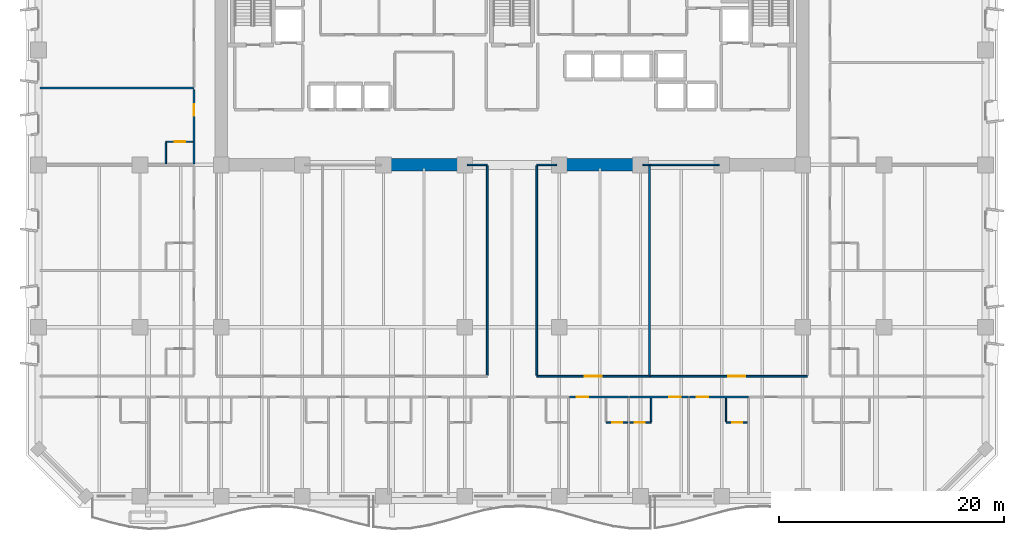
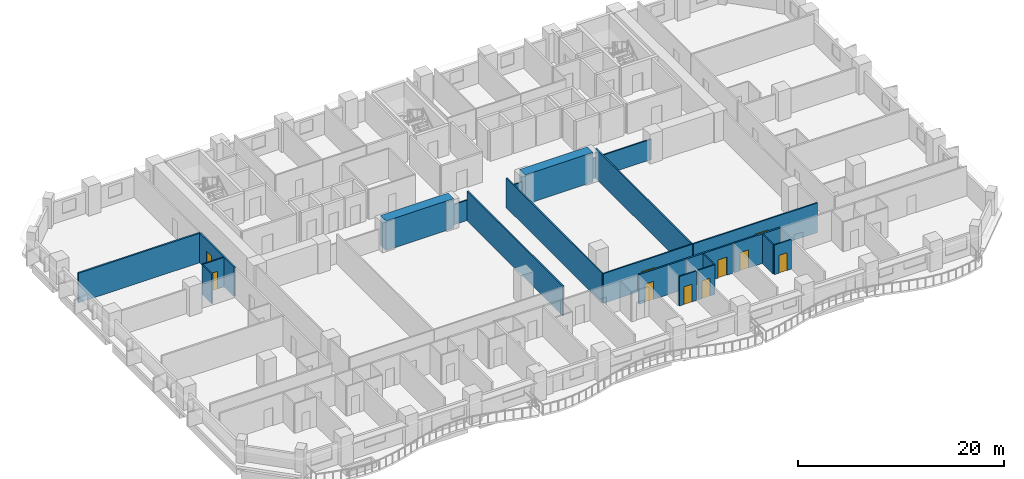
# One storey, part 7 of 16: 23 walls, 10 doors, 10 openings.
"""IFC4 building model written with IfcOpenShell, lengths in metres."""

from ifc_helpers import new_model, si_unit, direction, frame, frame_2d, origin, place, context, subcontext, project, spatial, rectangle, extrude, material, layer, layer_set, type_object, element, fill, save


model = new_model("IFC4")

# Units and contexts
model_context = context("Model", 3, precision=1e-05, world=origin(), true_north=direction((0.0, 1.0)))
body_context = subcontext(model_context, "Body", "Model", "MODEL_VIEW")
ifc_project = project(units=[si_unit("LENGTHUNIT", "METRE"), si_unit("AREAUNIT", "SQUARE_METRE"), si_unit("VOLUMEUNIT", "CUBIC_METRE"), si_unit("PLANEANGLEUNIT", "RADIAN"), si_unit("MASSUNIT", "GRAM", prefix="KILO")], contexts=[model_context])

# Site, building, storey
site_placement = place(None, origin())
site = spatial("IfcSite", under=ifc_project, at=site_placement, CompositionType="ELEMENT")
building_placement = place(site_placement, origin())
building = spatial("IfcBuilding", under=site, at=building_placement, Name="Kaelvorn Grand Hotel", CompositionType="ELEMENT")
storey_placement = place(building_placement, frame((0.0, 0.0, 35.14990234375)))
storey = spatial("IfcBuildingStorey", under=building, at=storey_placement, Name="L06", CompositionType="ELEMENT", Elevation=35.14990234375)

# Walls
ifc_material_1 = material(Name="Concrete C80/95", Category="concrete")
ifc_layer_1 = layer(ifc_material_1, 1.10009765625)
ifc_layer_set_1 = layer_set([ifc_layer_1], Name="Concrete C80/95")
wall_type_1 = type_object("IfcWallType", Name="WL-CORE-1100-C80", PredefinedType="SHEAR", material=ifc_layer_set_1)
for number, where, z_axis, x_axis, name in (
    (1, (30.39990234375, 29.39990234375, 0.0), (0.0, 0.0, 1.0), (1.0, 0.0, 0.0), "L06 Rear-Core Coupled Shear Pier S2"),
    (2, (46.0, 29.39990234375, 0.0), (0.0, 0.0, 1.0), (1.0, 0.0, 0.0), "L06 Rear-Core Coupled Shear Pier S3"),
):
    element("IfcWall", number, at=place(storey_placement, frame(where, z_axis=z_axis, x_axis=x_axis)), inside=storey, type_object=wall_type_1, Name=name, PredefinedType="SHEAR", context=body_context, shape_type="SweptSolid", body=[
        extrude(rectangle(XDim=7.60009765625, YDim=1.10009765625, at=frame_2d((3.800048828125, 0.0))), origin(), (0.0, 0.0, 1.0), 3.510009765625),
    ])

# Wall, opening, door
ifc_material_2 = material(Name="Moisture-Resistant Tile & Stud Board")
ifc_layer_2 = layer(ifc_material_2, 0.125)
ifc_layer_set_2 = layer_set([ifc_layer_2], Name="Moisture-Resistant Tile & Stud Board")
wall_type_2 = type_object("IfcWallType", Name="WL-PART-125-WET", PredefinedType="PARTITIONING", material=ifc_layer_set_2)
wall_1_placement = place(storey_placement, frame((50.34130859375, 6.550048828125, 0.0), z_axis=(0.0, 0.0, 1.0), x_axis=(1.0, 0.0, 0.0)))
wall_1 = element("IfcWall", 3, at=wall_1_placement, inside=storey, type_object=wall_type_2, Name="L06 En-suite Bathroom L06-09 S Partition", PredefinedType="PARTITIONING", context=body_context, shape_type="SweptSolid", body=[
    extrude(rectangle(XDim=1.905029296875, YDim=0.125, at=frame_2d((0.95263671875, 0.0))), origin(), (0.0, 0.0, 1.0), 3.510009765625),
])
opening_1_placement = place(wall_1_placement, frame((0.550048828125, 0.0, 0.0)))
opening_1 = element("IfcOpeningElement", 4, at=opening_1_placement, cuts=wall_1, Name="Opening DI4", PredefinedType="OPENING", context=body_context, shape_type="SweptSolid", body=[
    extrude(rectangle(XDim=0.89990234375, YDim=2.10009765625, at=frame_2d((0.449951171875, 1.050048828125))), frame((0.0, 0.072509765625, 0.0), z_axis=(0.0, -1.0, 0.0), x_axis=(1.0, 0.0, 0.0)), (0.0, 0.0, 1.0), 0.14501953125),
])
ifc_material_3 = material(Name="Timber Veneer Leaf", Category="wood")
door_type_1 = type_object("IfcDoorType", Name="DR-INT-BATH-900x2100", OperationType="NOTDEFINED", PredefinedType="DOOR", material=ifc_material_3)
door_1_placement = place(opening_1_placement, origin())
door_1 = element("IfcDoor", 5, at=door_1_placement, inside=storey, type_object=door_type_1, Name="L06 En-suite Bathroom L06-09 Door", OperationType="SINGLE_SWING_LEFT", OverallHeight=2.10009765625, OverallWidth=0.89990234375, PredefinedType="DOOR", context=body_context, shape_type="SweptSolid", body=[
    extrude(rectangle(XDim=0.89990234375, YDim=2.10009765625, at=frame_2d((0.449951171875, 1.050048828125))), frame((0.0, 0.02490234375, 0.0), z_axis=(0.0, -1.0, 0.0), x_axis=(1.0, 0.0, 0.0)), (0.0, 0.0, 1.0), 0.050048828125),
])
fill(opening_1, door_1)

wall_2_placement = place(storey_placement, frame((52.436279296875, 6.550048828125, 0.0), z_axis=(0.0, 0.0, 1.0), x_axis=(1.0, 0.0, 0.0)))
wall_2 = element("IfcWall", 6, at=wall_2_placement, inside=storey, type_object=wall_type_2, Name="L06 En-suite Bathroom L06-10 S Partition", PredefinedType="PARTITIONING", context=body_context, shape_type="SweptSolid", body=[
    extrude(rectangle(XDim=1.905029296875, YDim=0.125, at=frame_2d((0.95263671875, 0.0))), origin(), (0.0, 0.0, 1.0), 3.510009765625),
])
opening_2_placement = place(wall_2_placement, frame((0.455078125, 0.0, 0.0)))
opening_2 = element("IfcOpeningElement", 7, at=opening_2_placement, cuts=wall_2, Name="Opening DI4", PredefinedType="OPENING", context=body_context, shape_type="SweptSolid", body=[
    extrude(rectangle(XDim=0.89990234375, YDim=2.10009765625, at=frame_2d((0.449951171875, 1.050048828125))), frame((0.0, 0.072509765625, 0.0), z_axis=(0.0, -1.0, 0.0), x_axis=(1.0, 0.0, 0.0)), (0.0, 0.0, 1.0), 0.14501953125),
])
door_2_placement = place(opening_2_placement, origin())
door_2 = element("IfcDoor", 8, at=door_2_placement, inside=storey, type_object=door_type_1, Name="L06 En-suite Bathroom L06-10 Door", OperationType="SINGLE_SWING_LEFT", OverallHeight=2.10009765625, OverallWidth=0.89990234375, PredefinedType="DOOR", context=body_context, shape_type="SweptSolid", body=[
    extrude(rectangle(XDim=0.89990234375, YDim=2.10009765625, at=frame_2d((0.449951171875, 1.050048828125))), frame((0.0, 0.02490234375, 0.0), z_axis=(0.0, -1.0, 0.0), x_axis=(1.0, 0.0, 0.0)), (0.0, 0.0, 1.0), 0.050048828125),
])
fill(opening_2, door_2)

# Wall
wall_3_placement = place(storey_placement, frame((54.34130859375, 6.617431640625, 0.0), z_axis=(0.0, 0.0, 1.0), x_axis=(0.0, 1.0, 0.0)))
element("IfcWall", 9, at=wall_3_placement, inside=storey, type_object=wall_type_2, Name="L06 En-suite Bathroom L06-10 E Partition", PredefinedType="PARTITIONING", context=body_context, shape_type="SweptSolid", body=[
    extrude(rectangle(XDim=2.087646484375, YDim=0.125, at=frame_2d((1.0439453125, 0.0))), origin(), (0.0, 0.0, 1.0), 3.510009765625),
])

# Wall, opening, door
wall_4_placement = place(storey_placement, frame((60.98388671875, 6.550048828125, 0.0), z_axis=(0.0, 0.0, 1.0), x_axis=(1.0, 0.0, 0.0)))
wall_4 = element("IfcWall", 10, at=wall_4_placement, inside=storey, type_object=wall_type_2, Name="L06 En-suite Bathroom L06-11 S Partition", PredefinedType="PARTITIONING", context=body_context, shape_type="SweptSolid", body=[
    extrude(rectangle(XDim=1.905029296875, YDim=0.125, at=frame_2d((0.95263671875, 0.0))), origin(), (0.0, 0.0, 1.0), 3.510009765625),
])
opening_3_placement = place(wall_4_placement, frame((0.550048828125, 0.0, 0.0)))
opening_3 = element("IfcOpeningElement", 11, at=opening_3_placement, cuts=wall_4, Name="Opening DI4", PredefinedType="OPENING", context=body_context, shape_type="SweptSolid", body=[
    extrude(rectangle(XDim=0.89990234375, YDim=2.10009765625, at=frame_2d((0.449951171875, 1.050048828125))), frame((0.0, 0.072509765625, 0.0), z_axis=(0.0, -1.0, 0.0), x_axis=(1.0, 0.0, 0.0)), (0.0, 0.0, 1.0), 0.14501953125),
])
door_3_placement = place(opening_3_placement, origin())
door_3 = element("IfcDoor", 12, at=door_3_placement, inside=storey, type_object=door_type_1, Name="L06 En-suite Bathroom L06-11 Door", OperationType="SINGLE_SWING_LEFT", OverallHeight=2.10009765625, OverallWidth=0.89990234375, PredefinedType="DOOR", context=body_context, shape_type="SweptSolid", body=[
    extrude(rectangle(XDim=0.89990234375, YDim=2.10009765625, at=frame_2d((0.449951171875, 1.050048828125))), frame((0.0, 0.02490234375, 0.0), z_axis=(0.0, -1.0, 0.0), x_axis=(1.0, 0.0, 0.0)), (0.0, 0.0, 1.0), 0.050048828125),
])
fill(opening_3, door_3)

# Wall
wall_5_placement = place(storey_placement, frame((60.98388671875, 6.617431640625, 0.0), z_axis=(0.0, 0.0, 1.0), x_axis=(0.0, 1.0, 0.0)))
element("IfcWall", 13, at=wall_5_placement, inside=storey, type_object=wall_type_2, Name="L06 En-suite Bathroom L06-11 W Partition", PredefinedType="PARTITIONING", context=body_context, shape_type="SweptSolid", body=[
    extrude(rectangle(XDim=2.087646484375, YDim=0.125, at=frame_2d((1.0439453125, 0.0))), origin(), (0.0, 0.0, 1.0), 3.510009765625),
])

# Wall, opening, door
wall_6_placement = place(storey_placement, frame((11.300048828125, 31.449951171875, 0.0), z_axis=(0.0, 0.0, 1.0), x_axis=(1.0, 0.0, 0.0)))
wall_6 = element("IfcWall", 14, at=wall_6_placement, inside=storey, type_object=wall_type_2, Name="L06 En-suite Bathroom L06-18 N Partition", PredefinedType="PARTITIONING", context=body_context, shape_type="SweptSolid", body=[
    extrude(rectangle(XDim=2.405029296875, YDim=0.125, at=frame_2d((1.20263671875, 0.0))), origin(), (0.0, 0.0, 1.0), 3.510009765625),
])
opening_4_placement = place(wall_6_placement, frame((0.800048828125, 0.0, 0.0)))
opening_4 = element("IfcOpeningElement", 15, at=opening_4_placement, cuts=wall_6, Name="Opening DI4", PredefinedType="OPENING", context=body_context, shape_type="SweptSolid", body=[
    extrude(rectangle(XDim=0.89990234375, YDim=2.10009765625, at=frame_2d((0.449951171875, 1.050048828125))), frame((0.0, 0.072509765625, 0.0), z_axis=(0.0, -1.0, 0.0), x_axis=(1.0, 0.0, 0.0)), (0.0, 0.0, 1.0), 0.14501953125),
])
door_4_placement = place(opening_4_placement, origin())
door_4 = element("IfcDoor", 16, at=door_4_placement, inside=storey, type_object=door_type_1, Name="L06 En-suite Bathroom L06-18 Door", OperationType="SINGLE_SWING_RIGHT", OverallHeight=2.10009765625, OverallWidth=0.89990234375, PredefinedType="DOOR", context=body_context, shape_type="SweptSolid", body=[
    extrude(rectangle(XDim=0.89990234375, YDim=2.10009765625, at=frame_2d((0.449951171875, 1.050048828125))), frame((0.0, 0.02490234375, 0.0), z_axis=(0.0, -1.0, 0.0), x_axis=(1.0, 0.0, 0.0)), (0.0, 0.0, 1.0), 0.050048828125),
])
fill(opening_4, door_4)

# Walls
wall_7_placement = place(storey_placement, frame((11.300048828125, 29.4951171875, 0.0), z_axis=(0.0, 0.0, 1.0), x_axis=(0.0, 1.0, 0.0)))
element("IfcWall", 17, at=wall_7_placement, inside=storey, type_object=wall_type_2, Name="L06 En-suite Bathroom L06-18 W Partition", PredefinedType="PARTITIONING", context=body_context, shape_type="SweptSolid", body=[
    extrude(rectangle(XDim=1.887451171875, YDim=0.125, at=frame_2d((0.94384765625, 0.0))), origin(), (0.0, 0.0, 1.0), 3.510009765625),
])
ifc_material_4 = material(Name="Acoustic Gypsum & Stud Partition")
ifc_layer_3 = layer(ifc_material_4, 0.14990234375)
ifc_layer_set_3 = layer_set([ifc_layer_3], Name="Acoustic Gypsum & Stud Partition")
wall_type_3 = type_object("IfcWallType", Name="WL-PART-150-EI60", PredefinedType="PARTITIONING", material=ifc_layer_set_3)
wall_8_placement = place(storey_placement, frame((38.010009765625, 29.39990234375, 0.0), z_axis=(0.0, 0.0, 1.0), x_axis=(1.0, 0.0, 0.0)))
element("IfcWall", 18, at=wall_8_placement, inside=storey, type_object=wall_type_3, Name="L06 Guest Butler Kitchen N Partition (2)", PredefinedType="PARTITIONING", context=body_context, shape_type="SweptSolid", body=[
    extrude(rectangle(XDim=1.7900390625, YDim=0.14990234375, at=frame_2d((0.89501953125, 0.0))), origin(), (0.0, 0.0, 1.0), 2.41015625),
])
wall_9_placement = place(storey_placement, frame((39.800048828125, 10.72998046875, 0.0), z_axis=(0.0, 0.0, 1.0), x_axis=(0.0, 1.0, 0.0)))
element("IfcWall", 19, at=wall_9_placement, inside=storey, type_object=wall_type_3, Name="L06 Guest Butler Kitchen E Partition", PredefinedType="PARTITIONING", context=body_context, shape_type="SweptSolid", body=[
    extrude(rectangle(XDim=18.590087890625, YDim=0.14990234375, at=frame_2d((9.294921875, 0.0))), origin(), (0.0, 0.0, 1.0), 3.510009765625),
])

# Wall, opening, door
wall_10_placement = place(storey_placement, frame((44.199951171875, 10.64990234375, 0.0), z_axis=(0.0, 0.0, 1.0), x_axis=(1.0, 0.0, 0.0)))
wall_10 = element("IfcWall", 20, at=wall_10_placement, inside=storey, type_object=wall_type_3, Name="L06 Suite Living Room S Partition", PredefinedType="PARTITIONING", context=body_context, shape_type="SweptSolid", body=[
    extrude(rectangle(XDim=10.0, YDim=0.14990234375, at=frame_2d((5.0, 0.0))), origin(), (0.0, 0.0, 1.0), 3.510009765625),
])
opening_5_placement = place(wall_10_placement, frame((4.25, 0.0, 0.0)))
opening_5 = element("IfcOpeningElement", 21, at=opening_5_placement, cuts=wall_10, Name="Opening DI5", PredefinedType="OPENING", context=body_context, shape_type="SweptSolid", body=[
    extrude(rectangle(XDim=1.5, YDim=2.25, at=frame_2d((0.75, 1.125))), frame((0.0, 0.0849609375, 0.0), z_axis=(0.0, -1.0, 0.0), x_axis=(1.0, 0.0, 0.0)), (0.0, 0.0, 1.0), 0.169921875),
])
ifc_material_5 = material(Name="Timber Veneer Fire Leaf", Category="wood")
door_type_2 = type_object("IfcDoorType", Name="DR-INT-SALON-1500x2250", OperationType="DOUBLE_DOOR_SINGLE_SWING", PredefinedType="DOOR", material=ifc_material_5)
door_5_placement = place(opening_5_placement, origin())
door_5 = element("IfcDoor", 22, at=door_5_placement, inside=storey, type_object=door_type_2, Name="L06 Suite Living Room Door", OperationType="DOUBLE_DOOR_SINGLE_SWING", OverallHeight=2.25, OverallWidth=1.5, PredefinedType="DOOR", context=body_context, shape_type="SweptSolid", body=[
    extrude(rectangle(XDim=1.5, YDim=2.25, at=frame_2d((0.75, 1.125))), frame((0.0, 0.02490234375, 0.0), z_axis=(0.0, -1.0, 0.0), x_axis=(1.0, 0.0, 0.0)), (0.0, 0.0, 1.0), 0.050048828125),
])
fill(opening_5, door_5)

# Walls
wall_11_placement = place(storey_placement, frame((44.199951171875, 29.39990234375, 0.0), z_axis=(0.0, 0.0, 1.0), x_axis=(1.0, 0.0, 0.0)))
element("IfcWall", 23, at=wall_11_placement, inside=storey, type_object=wall_type_3, Name="L06 Suite Living Room N Partition (1)", PredefinedType="PARTITIONING", context=body_context, shape_type="SweptSolid", body=[
    extrude(rectangle(XDim=1.7900390625, YDim=0.14990234375, at=frame_2d((0.89501953125, 0.0))), origin(), (0.0, 0.0, 1.0), 2.41015625),
])
wall_12_placement = place(storey_placement, frame((53.610107421875, 29.39990234375, 0.0), z_axis=(0.0, 0.0, 1.0), x_axis=(1.0, 0.0, 0.0)))
element("IfcWall", 24, at=wall_12_placement, inside=storey, type_object=wall_type_3, Name="L06 Suite Living Room N Partition (2)", PredefinedType="PARTITIONING", context=body_context, shape_type="SweptSolid", body=[
    extrude(rectangle(XDim=0.58984375, YDim=0.14990234375, at=frame_2d((0.294921875, 0.0))), origin(), (0.0, 0.0, 1.0), 2.41015625),
])
for number, where, z_axis, x_axis, name in (
    (25, (44.199951171875, 10.72998046875, 0.0), (0.0, 0.0, 1.0), (0.0, 1.0, 0.0), "L06 Suite Living Room W Partition"),
    (26, (54.199951171875, 10.72998046875, 0.0), (0.0, 0.0, 1.0), (0.0, 1.0, 0.0), "L06 Suite Living Room E Partition"),
):
    element("IfcWall", number, at=place(storey_placement, frame(where, z_axis=z_axis, x_axis=x_axis)), inside=storey, type_object=wall_type_3, Name=name, PredefinedType="PARTITIONING", context=body_context, shape_type="SweptSolid", body=[
        extrude(rectangle(XDim=18.590087890625, YDim=0.14990234375, at=frame_2d((9.294921875, 0.0))), origin(), (0.0, 0.0, 1.0), 3.510009765625),
    ])

# Wall, opening, door
wall_13_placement = place(storey_placement, frame((54.280029296875, 10.64990234375, 0.0), z_axis=(0.0, 0.0, 1.0), x_axis=(1.0, 0.0, 0.0)))
wall_13 = element("IfcWall", 27, at=wall_13_placement, inside=storey, type_object=wall_type_3, Name="L06 Business Secretariat Office S Partition", PredefinedType="PARTITIONING", context=body_context, shape_type="SweptSolid", body=[
    extrude(rectangle(XDim=13.919921875, YDim=0.14990234375, at=frame_2d((6.9599609375, 0.0))), origin(), (0.0, 0.0, 1.0), 3.510009765625),
])
opening_6_placement = place(wall_13_placement, frame((6.919921875, 0.0, 0.0)))
opening_6 = element("IfcOpeningElement", 28, at=opening_6_placement, cuts=wall_13, Name="Opening DI5", PredefinedType="OPENING", context=body_context, shape_type="SweptSolid", body=[
    extrude(rectangle(XDim=1.5, YDim=2.25, at=frame_2d((0.75, 1.125))), frame((0.0, 0.0849609375, 0.0), z_axis=(0.0, -1.0, 0.0), x_axis=(1.0, 0.0, 0.0)), (0.0, 0.0, 1.0), 0.169921875),
])
door_6_placement = place(opening_6_placement, origin())
door_6 = element("IfcDoor", 29, at=door_6_placement, inside=storey, type_object=door_type_2, Name="L06 Business Secretariat Office Door", OperationType="DOUBLE_DOOR_SINGLE_SWING", OverallHeight=2.25, OverallWidth=1.5, PredefinedType="DOOR", context=body_context, shape_type="SweptSolid", body=[
    extrude(rectangle(XDim=1.5, YDim=2.25, at=frame_2d((0.75, 1.125))), frame((0.0, 0.02490234375, 0.0), z_axis=(0.0, -1.0, 0.0), x_axis=(1.0, 0.0, 0.0)), (0.0, 0.0, 1.0), 0.050048828125),
])
fill(opening_6, door_6)

# Wall
wall_14_placement = place(storey_placement, frame((54.280029296875, 29.39990234375, 0.0), z_axis=(0.0, 0.0, 1.0), x_axis=(1.0, 0.0, 0.0)))
element("IfcWall", 30, at=wall_14_placement, inside=storey, type_object=wall_type_3, Name="L06 Business Secretariat Office N Partition", PredefinedType="PARTITIONING", context=body_context, shape_type="SweptSolid", body=[
    extrude(rectangle(XDim=6.10986328125, YDim=0.14990234375, at=frame_2d((3.054931640625, 0.0))), origin(), (0.0, 0.0, 1.0), 2.41015625),
])

# Wall, opening, door
ifc_layer_4 = layer(ifc_material_4, 0.179931640625)
ifc_layer_set_4 = layer_set([ifc_layer_4], Name="Acoustic Gypsum & Stud Partition")
wall_type_4 = type_object("IfcWallType", Name="WL-PART-180-EI60", PredefinedType="PARTITIONING", material=ifc_layer_set_4)
wall_15_placement = place(storey_placement, frame((47.114990234375, 8.800048828125, 0.0), z_axis=(0.0, 0.0, 1.0), x_axis=(1.0, 0.0, 0.0)))
wall_15 = element("IfcWall", 31, at=wall_15_placement, inside=storey, type_object=wall_type_4, Name="L06 Deluxe King Guest Room L06-09 N Partition", PredefinedType="PARTITIONING", context=body_context, shape_type="SweptSolid", body=[
    extrude(rectangle(XDim=5.226318359375, YDim=0.179931640625, at=frame_2d((2.61328125, 0.0))), origin(), (0.0, 0.0, 1.0), 3.510009765625),
])
opening_7_placement = place(wall_15_placement, frame((0.64990234375, 0.0, 0.0)))
opening_7 = element("IfcOpeningElement", 32, at=opening_7_placement, cuts=wall_15, Name="Opening DI3", PredefinedType="OPENING", context=body_context, shape_type="SweptSolid", body=[
    extrude(rectangle(XDim=1.0, YDim=2.14990234375, at=frame_2d((0.5, 1.074951171875))), frame((0.0, 0.10009765625, 0.0), z_axis=(0.0, -1.0, 0.0), x_axis=(1.0, 0.0, 0.0)), (0.0, 0.0, 1.0), 0.199951171875),
])
door_type_3 = type_object("IfcDoorType", Name="DR-INT-GUEST-1000x2150", OperationType="NOTDEFINED", PredefinedType="DOOR", material=ifc_material_5)
door_7_placement = place(opening_7_placement, origin())
door_7 = element("IfcDoor", 33, at=door_7_placement, inside=storey, type_object=door_type_3, Name="L06 Deluxe King Guest Room L06-09 Door", OperationType="SINGLE_SWING_RIGHT", OverallHeight=2.14990234375, OverallWidth=1.0, PredefinedType="DOOR", context=body_context, shape_type="SweptSolid", body=[
    extrude(rectangle(XDim=1.0, YDim=2.14990234375, at=frame_2d((0.5, 1.074951171875))), frame((0.0, 0.02490234375, 0.0), z_axis=(0.0, -1.0, 0.0), x_axis=(1.0, 0.0, 0.0)), (0.0, 0.0, 1.0), 0.050048828125),
])
fill(opening_7, door_7)

wall_16_placement = place(storey_placement, frame((52.436279296875, 8.800048828125, 0.0), z_axis=(0.0, 0.0, 1.0), x_axis=(1.0, 0.0, 0.0)))
wall_16 = element("IfcWall", 34, at=wall_16_placement, inside=storey, type_object=wall_type_4, Name="L06 Deluxe King Guest Room L06-10 N Partition", PredefinedType="PARTITIONING", context=body_context, shape_type="SweptSolid", body=[
    extrude(rectangle(XDim=5.226318359375, YDim=0.179931640625, at=frame_2d((2.61328125, 0.0))), origin(), (0.0, 0.0, 1.0), 3.510009765625),
])
opening_8_placement = place(wall_16_placement, frame((3.515625, 0.0, 0.0)))
opening_8 = element("IfcOpeningElement", 35, at=opening_8_placement, cuts=wall_16, Name="Opening DI3", PredefinedType="OPENING", context=body_context, shape_type="SweptSolid", body=[
    extrude(rectangle(XDim=1.0, YDim=2.14990234375, at=frame_2d((0.5, 1.074951171875))), frame((0.0, 0.10009765625, 0.0), z_axis=(0.0, -1.0, 0.0), x_axis=(1.0, 0.0, 0.0)), (0.0, 0.0, 1.0), 0.199951171875),
])
door_8_placement = place(opening_8_placement, origin())
door_8 = element("IfcDoor", 36, at=door_8_placement, inside=storey, type_object=door_type_3, Name="L06 Deluxe King Guest Room L06-10 Door", OperationType="SINGLE_SWING_RIGHT", OverallHeight=2.14990234375, OverallWidth=1.0, PredefinedType="DOOR", context=body_context, shape_type="SweptSolid", body=[
    extrude(rectangle(XDim=1.0, YDim=2.14990234375, at=frame_2d((0.5, 1.074951171875))), frame((0.0, 0.02490234375, 0.0), z_axis=(0.0, -1.0, 0.0), x_axis=(1.0, 0.0, 0.0)), (0.0, 0.0, 1.0), 0.050048828125),
])
fill(opening_8, door_8)

wall_17_placement = place(storey_placement, frame((57.757568359375, 8.800048828125, 0.0), z_axis=(0.0, 0.0, 1.0), x_axis=(1.0, 0.0, 0.0)))
wall_17 = element("IfcWall", 37, at=wall_17_placement, inside=storey, type_object=wall_type_4, Name="L06 Deluxe King Guest Room L06-11 N Partition", PredefinedType="PARTITIONING", context=body_context, shape_type="SweptSolid", body=[
    extrude(rectangle(XDim=5.226318359375, YDim=0.179931640625, at=frame_2d((2.61328125, 0.0))), origin(), (0.0, 0.0, 1.0), 3.510009765625),
])
opening_9_placement = place(wall_17_placement, frame((0.64990234375, 0.0, 0.0)))
opening_9 = element("IfcOpeningElement", 38, at=opening_9_placement, cuts=wall_17, Name="Opening DI3", PredefinedType="OPENING", context=body_context, shape_type="SweptSolid", body=[
    extrude(rectangle(XDim=1.0, YDim=2.14990234375, at=frame_2d((0.5, 1.074951171875))), frame((0.0, 0.10009765625, 0.0), z_axis=(0.0, -1.0, 0.0), x_axis=(1.0, 0.0, 0.0)), (0.0, 0.0, 1.0), 0.199951171875),
])
door_9_placement = place(opening_9_placement, origin())
door_9 = element("IfcDoor", 39, at=door_9_placement, inside=storey, type_object=door_type_3, Name="L06 Deluxe King Guest Room L06-11 Door", OperationType="SINGLE_SWING_RIGHT", OverallHeight=2.14990234375, OverallWidth=1.0, PredefinedType="DOOR", context=body_context, shape_type="SweptSolid", body=[
    extrude(rectangle(XDim=1.0, YDim=2.14990234375, at=frame_2d((0.5, 1.074951171875))), frame((0.0, 0.02490234375, 0.0), z_axis=(0.0, -1.0, 0.0), x_axis=(1.0, 0.0, 0.0)), (0.0, 0.0, 1.0), 0.050048828125),
])
fill(opening_9, door_9)

# Wall
wall_18_placement = place(storey_placement, frame((0.14990234375, 36.199951171875, 0.0), z_axis=(0.0, 0.0, 1.0), x_axis=(1.0, 0.0, 0.0)))
element("IfcWall", 40, at=wall_18_placement, inside=storey, type_object=wall_type_4, Name="L06 North-West Wing Suite L06-18 N Partition", PredefinedType="PARTITIONING", context=body_context, shape_type="SweptSolid", body=[
    extrude(rectangle(XDim=13.650146484375, YDim=0.179931640625, at=frame_2d((6.8251953125, 0.0))), origin(), (0.0, 0.0, 1.0), 3.510009765625),
])

# Wall, opening, door
wall_19_placement = place(storey_placement, frame((13.800048828125, 29.4951171875, 0.0), z_axis=(0.0, 0.0, 1.0), x_axis=(0.0, 1.0, 0.0)))
wall_19 = element("IfcWall", 41, at=wall_19_placement, inside=storey, type_object=wall_type_4, Name="L06 North-West Wing Suite L06-18 E Partition", PredefinedType="PARTITIONING", context=body_context, shape_type="SweptSolid", body=[
    extrude(rectangle(XDim=6.60986328125, YDim=0.179931640625, at=frame_2d((3.304931640625, 0.0))), origin(), (0.0, 0.0, 1.0), 3.510009765625),
])
opening_10_placement = place(wall_19_placement, frame((4.280029296875, 0.0, 0.0)))
opening_10 = element("IfcOpeningElement", 42, at=opening_10_placement, cuts=wall_19, Name="Opening DI3", PredefinedType="OPENING", context=body_context, shape_type="SweptSolid", body=[
    extrude(rectangle(XDim=1.0, YDim=2.14990234375, at=frame_2d((0.5, 1.074951171875))), frame((0.0, 0.10009765625, 0.0), z_axis=(0.0, -1.0, 0.0), x_axis=(1.0, 0.0, 0.0)), (0.0, 0.0, 1.0), 0.199951171875),
])
door_10_placement = place(opening_10_placement, origin())
door_10 = element("IfcDoor", 43, at=door_10_placement, inside=storey, type_object=door_type_3, Name="L06 North-West Wing Suite L06-18 Door", OperationType="SINGLE_SWING_LEFT", OverallHeight=2.14990234375, OverallWidth=1.0, PredefinedType="DOOR", context=body_context, shape_type="SweptSolid", body=[
    extrude(rectangle(XDim=1.0, YDim=2.14990234375, at=frame_2d((0.5, 1.074951171875))), frame((0.0, 0.02490234375, 0.0), z_axis=(0.0, -1.0, 0.0), x_axis=(1.0, 0.0, 0.0)), (0.0, 0.0, 1.0), 0.050048828125),
])
fill(opening_10, door_10)

save(model, "model.ifc")
